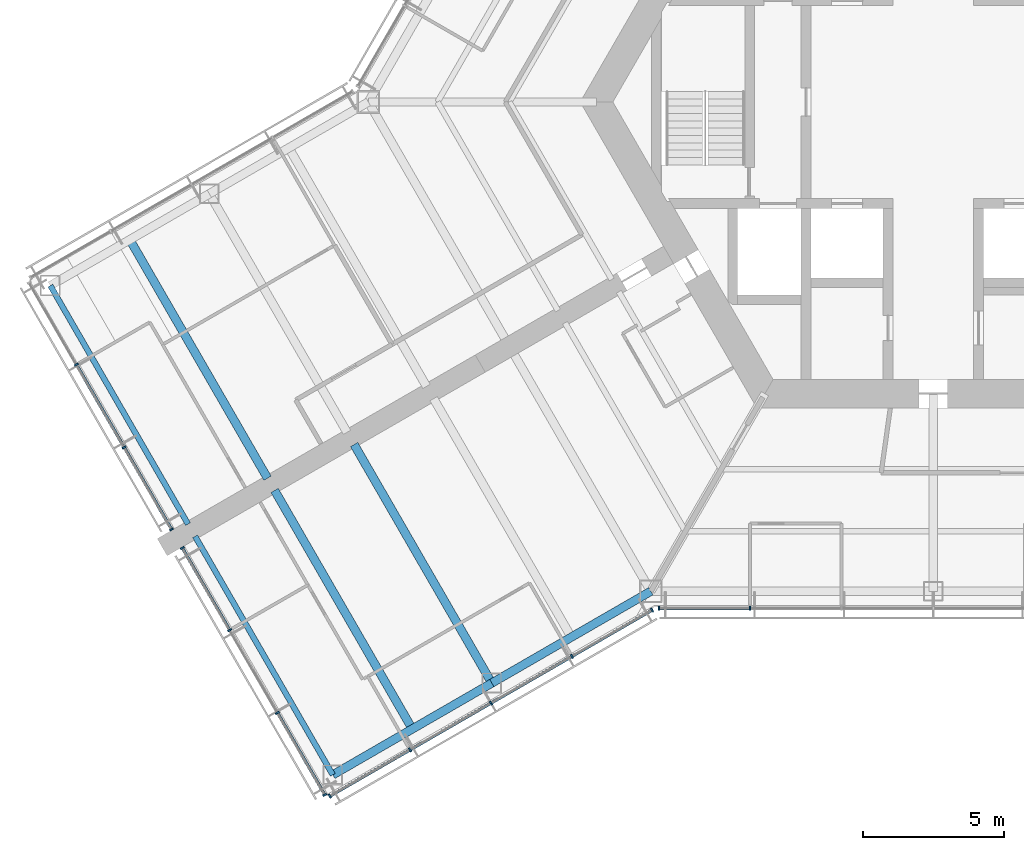
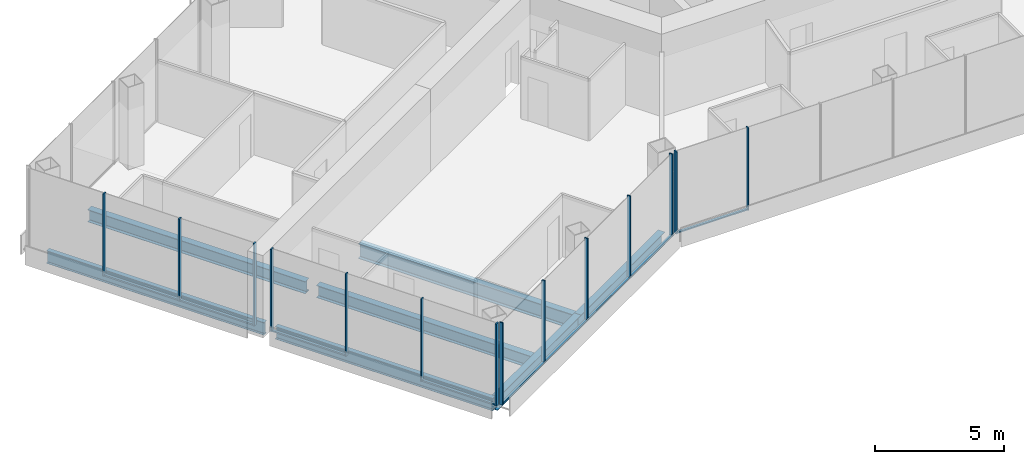
# One storey, part 2 of 18: 23 members, 7 beams, 4 elements without a shape of their own.
"""IFC4 building model written with IfcOpenShell, lengths in metres."""

from ifc_helpers import new_model, si_unit, direction, frame, origin, origin_2d, place, context, subcontext, project, spatial, rectangle, i_section, extrude, material, material_profile, profile_set, type_object, element, aggregate, save


model = new_model("IFC4")

# Units and contexts
model_context = context("Model", 3, precision=1e-05, world=origin(), true_north=direction((0.0, 1.0)))
body_context = subcontext(model_context, "Body", "Model", "MODEL_VIEW")
ifc_project = project(units=[si_unit("LENGTHUNIT", "METRE"), si_unit("AREAUNIT", "SQUARE_METRE"), si_unit("VOLUMEUNIT", "CUBIC_METRE"), si_unit("PLANEANGLEUNIT", "RADIAN"), si_unit("MASSUNIT", "GRAM", prefix="KILO")], contexts=[model_context])

# Site, building, storey
site_placement = place(None, origin())
site = spatial("IfcSite", under=ifc_project, at=site_placement, CompositionType="ELEMENT")
building_placement = place(site_placement, origin())
building = spatial("IfcBuilding", under=site, at=building_placement, Name="Kasaneha Research Tower", CompositionType="ELEMENT")
storey_placement = place(building_placement, frame((0.0, 0.0, 179.89990234375)))
storey = spatial("IfcBuildingStorey", under=building, at=storey_placement, Name="L45", CompositionType="ELEMENT", Elevation=179.89990234375)

# Beams
ifc_material_1 = material(Name="Steel SN490B", Category="steel")
ifc_material_profile_1 = material_profile(ifc_material_1, i_section(OverallWidth=0.300048828125, OverallDepth=0.58203125, WebThickness=0.011962890625, FlangeThickness=0.01708984375, FilletRadius=0.012939453125, at=origin_2d()), Name="H-582x300x12x17")
ifc_profile_set_1 = profile_set([ifc_material_profile_1], Name="Steel SN490B")
beam_type_1 = type_object("IfcBeamType", Name="B2-3 secondary beam H-582x300x12x17", PredefinedType="JOIST", material=ifc_profile_set_1)
for number, where, z_axis, x_axis, name in (
    (1, (-28.44384765625, -4.875, -0.44091796875), (0.499995560238, -0.866027967067, 0.0), (0.866027967067, 0.499995560238, 0.0), "Secondary beam WBBP2 L45"),
    (2, (-18.44384765625, -22.195556640625, -0.44091796875), (-0.499995560238, 0.866027967067, 0.0), (-0.866027967067, -0.499995560238, 0.0), "Secondary beam WBBN2 L45"),
):
    element("IfcBeam", number, at=place(storey_placement, frame(where, z_axis=z_axis, x_axis=x_axis)), inside=storey, type_object=beam_type_1, Name=name, PredefinedType="JOIST", context=body_context, shape_type="SweptSolid", body=[
        extrude(i_section(OverallWidth=0.300048828125, OverallDepth=0.58203125, WebThickness=0.011962890625, FlangeThickness=0.01708984375, FilletRadius=0.012939453125, at=origin_2d()), origin(), (0.0, 0.0, 1.0), 9.75),
    ])

# Curtain wall, members
ifc_material_2 = material(Name="Glass and aluminium", Category="aluminium")
curtain_wall_type = type_object("IfcCurtainWallType", Name="Mid-rise office curtain wall", PredefinedType="USERDEFINED", material=ifc_material_2)
curtain_wall_1_placement = place(storey_placement, origin())
curtain_wall_1 = element("IfcCurtainWall", 3, at=curtain_wall_1_placement, inside=storey, type_object=curtain_wall_type, Name="CW-O2 L45 run 01a", ObjectType="UNITISED CURTAIN WALL", PredefinedType="USERDEFINED")
ifc_material_3 = material(Name="Aluminium 6063-T6", Category="aluminium")
ifc_material_profile_2 = material_profile(ifc_material_3, rectangle(XDim=0.06005859375, YDim=0.14990234375, at=origin_2d()), Name="CW-O2 mullion 60x150")
ifc_profile_set_2 = profile_set([ifc_material_profile_2], Name="Aluminium 6063-T6")
member_type_1 = type_object("IfcMemberType", Name="CW-O2 mullion", PredefinedType="MULLION", material=ifc_profile_set_2)
member_1_placement = place(storey_placement, frame((-9.709228515625, -17.92041015625, 0.0), z_axis=(0.0, 0.0, 1.0), x_axis=(1.0, 0.0, 0.0)))
member_1 = element("IfcMember", 4, at=member_1_placement, type_object=member_type_1, Name="CW-O2 mullion 1", PredefinedType="MULLION", context=body_context, shape_type="SweptSolid", body=[
    extrude(rectangle(XDim=0.06005859375, YDim=0.14990234375, at=origin_2d()), origin(), (0.0, 0.0, 1.0), 3.900146484375),
])
member_2_placement = place(storey_placement, frame((-6.492919921875, -17.92041015625, 0.0), z_axis=(0.0, 0.0, 1.0), x_axis=(1.0, 0.0, 0.0)))
member_2 = element("IfcMember", 5, at=member_2_placement, type_object=member_type_1, Name="CW-O2 mullion 2", PredefinedType="MULLION", context=body_context, shape_type="SweptSolid", body=[
    extrude(rectangle(XDim=0.06005859375, YDim=0.14990234375, at=origin_2d()), origin(), (0.0, 0.0, 1.0), 3.900146484375),
])

curtain_wall_2_placement = place(storey_placement, origin())
curtain_wall_2 = element("IfcCurtainWall", 6, at=curtain_wall_2_placement, inside=storey, type_object=curtain_wall_type, Name="CW-O2 L45 run 10a", ObjectType="UNITISED CURTAIN WALL", PredefinedType="USERDEFINED")
member_3_placement = place(storey_placement, frame((-30.336181640625, -9.297119140625, 0.0), z_axis=(0.0, 0.0, 1.0), x_axis=(0.500000011442, -0.866025397178, 0.0)))
member_3 = element("IfcMember", 7, at=member_3_placement, type_object=member_type_1, Name="CW-O2 mullion 2", PredefinedType="MULLION", context=body_context, shape_type="SweptSolid", body=[
    extrude(rectangle(XDim=0.06005859375, YDim=0.14990234375, at=origin_2d()), origin(), (0.0, 0.0, 1.0), 3.900146484375),
])
member_4_placement = place(storey_placement, frame((-28.64453125, -12.22705078125, 0.0), z_axis=(0.0, 0.0, 1.0), x_axis=(0.500000011442, -0.866025397178, 0.0)))
member_4 = element("IfcMember", 8, at=member_4_placement, type_object=member_type_1, Name="CW-O2 mullion 3", PredefinedType="MULLION", context=body_context, shape_type="SweptSolid", body=[
    extrude(rectangle(XDim=0.06005859375, YDim=0.14990234375, at=origin_2d()), origin(), (0.0, 0.0, 1.0), 3.900146484375),
])
member_5_placement = place(storey_placement, frame((-26.968017578125, -15.131103515625, 0.0), z_axis=(0.0, 0.0, 1.0), x_axis=(0.500000011442, -0.866025397178, 0.0)))
member_5 = element("IfcMember", 9, at=member_5_placement, type_object=member_type_1, Name="CW-O2 mullion 4", PredefinedType="MULLION", context=body_context, shape_type="SweptSolid", body=[
    extrude(rectangle(XDim=0.06005859375, YDim=0.14990234375, at=origin_2d()), origin(), (0.0, 0.0, 1.0), 3.900146484375),
])

curtain_wall_3_placement = place(storey_placement, origin())
curtain_wall_3 = element("IfcCurtainWall", 10, at=curtain_wall_3_placement, inside=storey, type_object=curtain_wall_type, Name="CW-O2 L45 run 11a", ObjectType="UNITISED CURTAIN WALL", PredefinedType="USERDEFINED")
member_6_placement = place(storey_placement, frame((-26.587890625, -15.789306640625, 0.0), z_axis=(0.0, 0.0, 1.0), x_axis=(0.500000011442, -0.866025397178, 0.0)))
member_6 = element("IfcMember", 11, at=member_6_placement, type_object=member_type_1, Name="CW-O2 mullion 1", PredefinedType="MULLION", context=body_context, shape_type="SweptSolid", body=[
    extrude(rectangle(XDim=0.06005859375, YDim=0.14990234375, at=origin_2d()), origin(), (0.0, 0.0, 1.0), 3.900146484375),
])
member_7_placement = place(storey_placement, frame((-24.911376953125, -18.693359375, 0.0), z_axis=(0.0, 0.0, 1.0), x_axis=(0.500000011442, -0.866025397178, 0.0)))
member_7 = element("IfcMember", 12, at=member_7_placement, type_object=member_type_1, Name="CW-O2 mullion 2", PredefinedType="MULLION", context=body_context, shape_type="SweptSolid", body=[
    extrude(rectangle(XDim=0.06005859375, YDim=0.14990234375, at=origin_2d()), origin(), (0.0, 0.0, 1.0), 3.900146484375),
])
member_8_placement = place(storey_placement, frame((-23.2197265625, -21.62353515625, 0.0), z_axis=(0.0, 0.0, 1.0), x_axis=(0.500000011442, -0.866025397178, 0.0)))
member_8 = element("IfcMember", 13, at=member_8_placement, type_object=member_type_1, Name="CW-O2 mullion 3", PredefinedType="MULLION", context=body_context, shape_type="SweptSolid", body=[
    extrude(rectangle(XDim=0.06005859375, YDim=0.14990234375, at=origin_2d()), origin(), (0.0, 0.0, 1.0), 3.900146484375),
])
member_9_placement = place(storey_placement, frame((-21.54296875, -24.527587890625, 0.0), z_axis=(0.0, 0.0, 1.0), x_axis=(0.500000011442, -0.866025397178, 0.0)))
member_9 = element("IfcMember", 14, at=member_9_placement, type_object=member_type_1, Name="CW-O2 mullion 4", PredefinedType="MULLION", context=body_context, shape_type="SweptSolid", body=[
    extrude(rectangle(XDim=0.06005859375, YDim=0.14990234375, at=origin_2d()), origin(), (0.0, 0.0, 1.0), 3.900146484375),
])

curtain_wall_4_placement = place(storey_placement, origin())
curtain_wall_4 = element("IfcCurtainWall", 15, at=curtain_wall_4_placement, inside=storey, type_object=curtain_wall_type, Name="CW-O2 L45 run 12a", ObjectType="UNITISED CURTAIN WALL", PredefinedType="USERDEFINED")
member_10_placement = place(storey_placement, frame((-21.365478515625, -24.5751953125, 0.0), z_axis=(0.0, 0.0, 1.0), x_axis=(0.866025411464, 0.499999986699, 0.0)))
member_10 = element("IfcMember", 16, at=member_10_placement, type_object=member_type_1, Name="CW-O2 mullion 1", PredefinedType="MULLION", context=body_context, shape_type="SweptSolid", body=[
    extrude(rectangle(XDim=0.06005859375, YDim=0.14990234375, at=origin_2d()), origin(), (0.0, 0.0, 1.0), 3.900146484375),
])
member_11_placement = place(storey_placement, frame((-18.52490234375, -22.935302734375, 0.0), z_axis=(0.0, 0.0, 1.0), x_axis=(0.866025411464, 0.499999986699, 0.0)))
member_11 = element("IfcMember", 17, at=member_11_placement, type_object=member_type_1, Name="CW-O2 mullion 2", PredefinedType="MULLION", context=body_context, shape_type="SweptSolid", body=[
    extrude(rectangle(XDim=0.06005859375, YDim=0.14990234375, at=origin_2d()), origin(), (0.0, 0.0, 1.0), 3.900146484375),
])
member_12_placement = place(storey_placement, frame((-15.65869140625, -21.2802734375, 0.0), z_axis=(0.0, 0.0, 1.0), x_axis=(0.866025411464, 0.499999986699, 0.0)))
member_12 = element("IfcMember", 18, at=member_12_placement, type_object=member_type_1, Name="CW-O2 mullion 3", PredefinedType="MULLION", context=body_context, shape_type="SweptSolid", body=[
    extrude(rectangle(XDim=0.06005859375, YDim=0.14990234375, at=origin_2d()), origin(), (0.0, 0.0, 1.0), 3.900146484375),
])
member_13_placement = place(storey_placement, frame((-12.792236328125, -19.62548828125, 0.0), z_axis=(0.0, 0.0, 1.0), x_axis=(0.866025411464, 0.499999986699, 0.0)))
member_13 = element("IfcMember", 19, at=member_13_placement, type_object=member_type_1, Name="CW-O2 mullion 4", PredefinedType="MULLION", context=body_context, shape_type="SweptSolid", body=[
    extrude(rectangle(XDim=0.06005859375, YDim=0.14990234375, at=origin_2d()), origin(), (0.0, 0.0, 1.0), 3.900146484375),
])
member_14_placement = place(storey_placement, frame((-9.951904296875, -17.985595703125, 0.0), z_axis=(0.0, 0.0, 1.0), x_axis=(0.866025411464, 0.499999986699, 0.0)))
member_14 = element("IfcMember", 20, at=member_14_placement, type_object=member_type_1, Name="CW-O2 mullion 5", PredefinedType="MULLION", context=body_context, shape_type="SweptSolid", body=[
    extrude(rectangle(XDim=0.06005859375, YDim=0.14990234375, at=origin_2d()), origin(), (0.0, 0.0, 1.0), 3.900146484375),
])

# Member
ifc_material_4 = material(Name="Aluminium 6063-T6", Category="aluminium")
ifc_material_profile_3 = material_profile(ifc_material_4, rectangle(XDim=0.110107421875, YDim=0.06005859375, at=origin_2d()), Name="CW-O2 transom 110x60")
ifc_profile_set_3 = profile_set([ifc_material_profile_3], Name="Aluminium 6063-T6")
member_type_2 = type_object("IfcMemberType", Name="CW-O2 transom", PredefinedType="USERDEFINED", material=ifc_profile_set_3)
member_15_placement = place(storey_placement, frame((-9.67919921875, -17.92041015625, 0.030029296875), z_axis=(1.0, 0.0, 0.0), x_axis=(0.0, 1.0, 0.0)))
member_15 = element("IfcMember", 21, at=member_15_placement, type_object=member_type_2, Name="CW-O2 transom 1", ObjectType="TRANSOM", PredefinedType="USERDEFINED", context=body_context, shape_type="SweptSolid", body=[
    extrude(rectangle(XDim=0.110107421875, YDim=0.06005859375, at=origin_2d()), origin(), (0.0, 0.0, 1.0), 3.156494140625),
])

aggregate(curtain_wall_1, [member_1, member_2, member_15])

member_16_placement = place(storey_placement, frame((-30.3212890625, -9.322998046875, 0.030029296875), z_axis=(0.499978935311, -0.866037565146, 0.0), x_axis=(0.866037565146, 0.499978935311, 0.0)))
member_16 = element("IfcMember", 22, at=member_16_placement, type_object=member_type_2, Name="CW-O2 transom 2", ObjectType="TRANSOM", PredefinedType="USERDEFINED", context=body_context, shape_type="SweptSolid", body=[
    extrude(rectangle(XDim=0.110107421875, YDim=0.06005859375, at=origin_2d()), origin(), (0.0, 0.0, 1.0), 3.323486328125),
])

member_17_placement = place(storey_placement, frame((-28.629638671875, -12.253173828125, 0.030029296875), z_axis=(0.500021914551, -0.866012751043, 0.0), x_axis=(0.866012751043, 0.500021914551, 0.0)))
member_17 = element("IfcMember", 23, at=member_17_placement, type_object=member_type_2, Name="CW-O2 transom 3", ObjectType="TRANSOM", PredefinedType="USERDEFINED", context=body_context, shape_type="SweptSolid", body=[
    extrude(rectangle(XDim=0.110107421875, YDim=0.06005859375, at=origin_2d()), origin(), (0.0, 0.0, 1.0), 3.293212890625),
])

aggregate(curtain_wall_2, [member_3, member_4, member_5, member_16, member_17])

member_18_placement = place(storey_placement, frame((-26.572998046875, -15.8154296875, 0.030029296875), z_axis=(0.500021914551, -0.866012751043, 0.0), x_axis=(0.866012751043, 0.500021914551, 0.0)))
member_18 = element("IfcMember", 24, at=member_18_placement, type_object=member_type_2, Name="CW-O2 transom 1", ObjectType="TRANSOM", PredefinedType="USERDEFINED", context=body_context, shape_type="SweptSolid", body=[
    extrude(rectangle(XDim=0.110107421875, YDim=0.06005859375, at=origin_2d()), origin(), (0.0, 0.0, 1.0), 3.293212890625),
])

member_19_placement = place(storey_placement, frame((-23.20458984375, -21.6494140625, 0.030029296875), z_axis=(0.500021914551, -0.866012751043, 0.0), x_axis=(0.866012751043, 0.500021914551, 0.0)))
member_19 = element("IfcMember", 25, at=member_19_placement, type_object=member_type_2, Name="CW-O2 transom 3", ObjectType="TRANSOM", PredefinedType="USERDEFINED", context=body_context, shape_type="SweptSolid", body=[
    extrude(rectangle(XDim=0.110107421875, YDim=0.06005859375, at=origin_2d()), origin(), (0.0, 0.0, 1.0), 3.293212890625),
])

aggregate(curtain_wall_3, [member_6, member_7, member_8, member_9, member_18, member_19])

member_20_placement = place(storey_placement, frame((-21.33935546875, -24.56005859375, 0.030029296875), z_axis=(0.866022692473, 0.500004696101, 0.0), x_axis=(-0.500004696101, 0.866022692473, 0.0)))
member_20 = element("IfcMember", 26, at=member_20_placement, type_object=member_type_2, Name="CW-O2 transom 1", ObjectType="TRANSOM", PredefinedType="USERDEFINED", context=body_context, shape_type="SweptSolid", body=[
    extrude(rectangle(XDim=0.110107421875, YDim=0.06005859375, at=origin_2d()), origin(), (0.0, 0.0, 1.0), 3.2197265625),
])

member_21_placement = place(storey_placement, frame((-18.4990234375, -22.920166015625, 0.030029296875), z_axis=(0.86604797581, 0.499960902066, 0.0), x_axis=(-0.499960902066, 0.86604797581, 0.0)))
member_21 = element("IfcMember", 27, at=member_21_placement, type_object=member_type_2, Name="CW-O2 transom 2", ObjectType="TRANSOM", PredefinedType="USERDEFINED", context=body_context, shape_type="SweptSolid", body=[
    extrude(rectangle(XDim=0.110107421875, YDim=0.06005859375, at=origin_2d()), origin(), (0.0, 0.0, 1.0), 3.249755859375),
])

member_22_placement = place(storey_placement, frame((-15.632568359375, -21.265380859375, 0.030029296875), z_axis=(0.866015446554, 0.500017246033, 0.0), x_axis=(-0.500017246033, 0.866015446554, 0.0)))
member_22 = element("IfcMember", 28, at=member_22_placement, type_object=member_type_2, Name="CW-O2 transom 3", ObjectType="TRANSOM", PredefinedType="USERDEFINED", context=body_context, shape_type="SweptSolid", body=[
    extrude(rectangle(XDim=0.110107421875, YDim=0.06005859375, at=origin_2d()), origin(), (0.0, 0.0, 1.0), 3.25),
])

member_23_placement = place(storey_placement, frame((-12.76611328125, -19.6103515625, 0.030029296875), z_axis=(0.866022692473, 0.500004696101, 0.0), x_axis=(-0.500004696101, 0.866022692473, 0.0)))
member_23 = element("IfcMember", 29, at=member_23_placement, type_object=member_type_2, Name="CW-O2 transom 4", ObjectType="TRANSOM", PredefinedType="USERDEFINED", context=body_context, shape_type="SweptSolid", body=[
    extrude(rectangle(XDim=0.110107421875, YDim=0.06005859375, at=origin_2d()), origin(), (0.0, 0.0, 1.0), 3.2197265625),
])

aggregate(curtain_wall_4, [member_10, member_11, member_12, member_13, member_14, member_20, member_21, member_22, member_23])

# Beams
ifc_material_5 = material(Name="Steel SN490B", Category="steel")
ifc_material_profile_4 = material_profile(ifc_material_5, i_section(OverallWidth=0.300048828125, OverallDepth=0.699951171875, WebThickness=0.012939453125, FlangeThickness=0.02392578125, FilletRadius=0.01806640625, at=origin_2d()), Name="H-700x300x13x24")
ifc_profile_set_4 = profile_set([ifc_material_profile_4], Name="Steel SN490B")
beam_type_2 = type_object("IfcBeamType", Name="G4-3 wing girder H-700x300x13x24", PredefinedType="BEAM", material=ifc_profile_set_4)
beam_placement = place(storey_placement, frame((-15.629150390625, -20.570556640625, -0.5), z_axis=(-0.499995560238, 0.866027967067, 0.0), x_axis=(-0.866027967067, -0.499995560238, 0.0)))
element("IfcBeam", 30, at=beam_placement, inside=storey, type_object=beam_type_2, Name="Wing girder WGBN L45", PredefinedType="BEAM", context=body_context, shape_type="SweptSolid", body=[
    extrude(i_section(OverallWidth=0.300048828125, OverallDepth=0.699951171875, WebThickness=0.012939453125, FlangeThickness=0.02392578125, FilletRadius=0.01806640625, at=origin_2d()), origin(), (0.0, 0.0, 1.0), 9.75),
])
ifc_material_6 = material(Name="Steel SN490B", Category="steel")
ifc_material_profile_5 = material_profile(ifc_material_6, i_section(OverallWidth=0.300048828125, OverallDepth=0.58203125, WebThickness=0.011962890625, FlangeThickness=0.01708984375, FilletRadius=0.012939453125, at=origin_2d()), Name="H-582x300x12x17")
ifc_profile_set_5 = profile_set([ifc_material_profile_5], Name="Steel SN490B")
beam_type_3 = type_object("IfcBeamType", Name="SB2-3 spandrel beam H-582x300x12x17", PredefinedType="SPANDREL", material=ifc_profile_set_5)
for number, where, z_axis, x_axis, name in (
    (31, (-10.0, -17.320556640625, -0.44091796875), (-0.866024837091, -0.50000098154, 0.0), (0.50000098154, -0.866024837091, 0.0), "Spandrel beam WSBN1 L45"),
    (32, (-15.629150390625, -20.570556640625, -0.44091796875), (-0.866024837091, -0.50000098154, 0.0), (0.50000098154, -0.866024837091, 0.0), "Spandrel beam WSBN2 L45"),
):
    element("IfcBeam", number, at=place(storey_placement, frame(where, z_axis=z_axis, x_axis=x_axis)), inside=storey, type_object=beam_type_3, Name=name, PredefinedType="SPANDREL", context=body_context, shape_type="SweptSolid", body=[
        extrude(i_section(OverallWidth=0.300048828125, OverallDepth=0.58203125, WebThickness=0.011962890625, FlangeThickness=0.01708984375, FilletRadius=0.012939453125, at=origin_2d()), origin(), (0.0, 0.0, 1.0), 6.5),
    ])
ifc_material_7 = material(Name="Steel SN490B", Category="steel")
ifc_material_profile_6 = material_profile(ifc_material_7, i_section(OverallWidth=0.199951171875, OverallDepth=0.60009765625, WebThickness=0.010986328125, FlangeThickness=0.01708984375, FilletRadius=0.012939453125, at=origin_2d()), Name="H-600x200x11x17")
ifc_profile_set_6 = profile_set([ifc_material_profile_6], Name="Steel SN490B")
beam_type_4 = type_object("IfcBeamType", Name="SB3-3 spandrel beam H-600x200x11x17", PredefinedType="SPANDREL", material=ifc_profile_set_6)
for number, where, z_axis, x_axis, name in (
    (33, (-31.25830078125, -6.5, -0.449951171875), (0.499995560238, -0.866027967067, 0.0), (0.866027967067, 0.499995560238, 0.0), "Spandrel beam WTBP L45"),
    (34, (-21.25830078125, -23.820556640625, -0.449951171875), (-0.499995560238, 0.866027967067, 0.0), (-0.866027967067, -0.499995560238, 0.0), "Spandrel beam WTBN L45"),
):
    element("IfcBeam", number, at=place(storey_placement, frame(where, z_axis=z_axis, x_axis=x_axis)), inside=storey, type_object=beam_type_4, Name=name, PredefinedType="SPANDREL", context=body_context, shape_type="SweptSolid", body=[
        extrude(i_section(OverallWidth=0.199951171875, OverallDepth=0.60009765625, WebThickness=0.010986328125, FlangeThickness=0.01708984375, FilletRadius=0.012939453125, at=origin_2d()), origin(), (0.0, 0.0, 1.0), 9.75),
    ])

save(model, "model.ifc")
